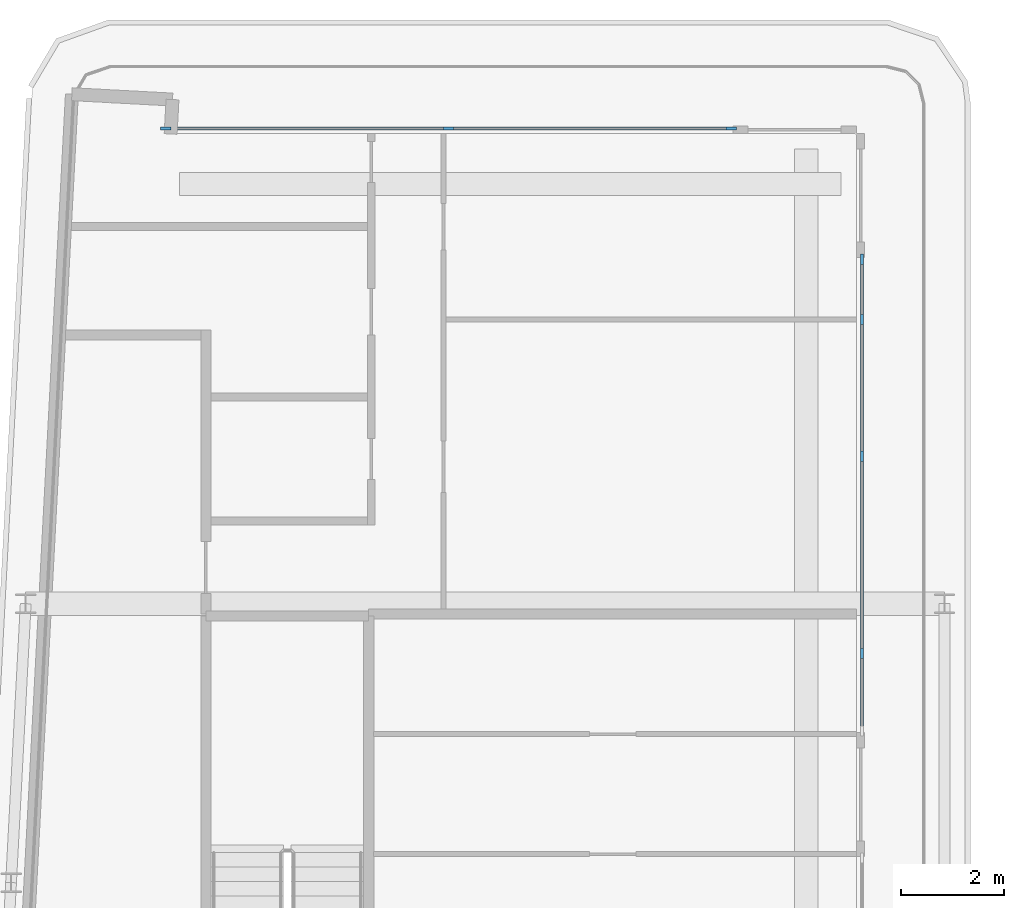
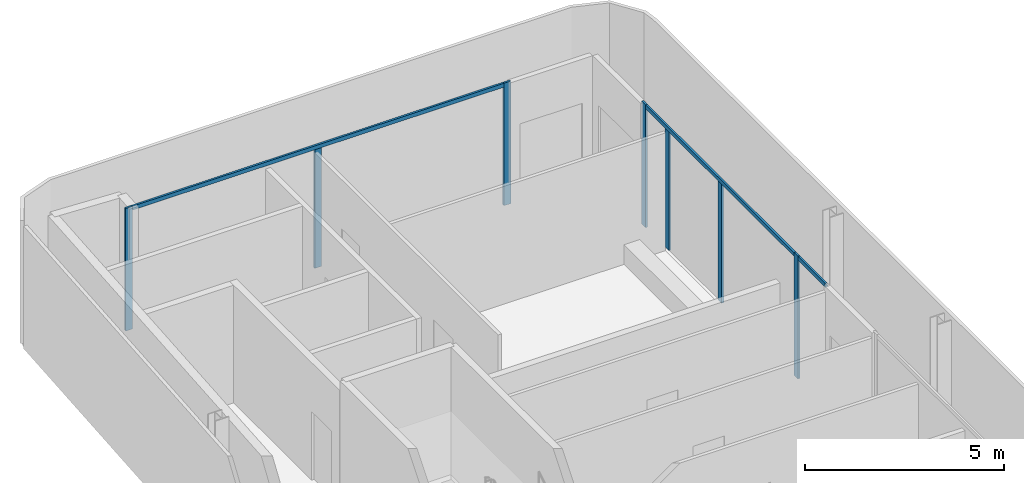
# One storey, part 8 of 21: 10 members, 3 elements without a shape of their own.
"""IFC4 building model written with IfcOpenShell, lengths in metres."""

from ifc_helpers import new_model, si_unit, direction, frame, origin, origin_2d, place, context, subcontext, project, spatial, rectangle, extrude, material, layer, layer_set, material_profile, profile_set, type_object, element, aggregate, save


model = new_model("IFC4")

# Units and contexts
model_context = context("Model", 3, precision=1e-05, world=origin(), true_north=direction((0.0, 1.0)))
body_context = subcontext(model_context, "Body", "Model", "MODEL_VIEW")
ifc_project = project(units=[si_unit("LENGTHUNIT", "METRE"), si_unit("AREAUNIT", "SQUARE_METRE"), si_unit("VOLUMEUNIT", "CUBIC_METRE"), si_unit("PLANEANGLEUNIT", "RADIAN"), si_unit("MASSUNIT", "GRAM", prefix="KILO")], contexts=[model_context])

# Site, building, storey
site_placement = place(None, origin())
site = spatial("IfcSite", under=ifc_project, at=site_placement, CompositionType="ELEMENT")
building_placement = place(site_placement, origin())
building = spatial("IfcBuilding", under=site, at=building_placement, Name="Kheshtan School and Residences Tower", CompositionType="ELEMENT")
storey_placement = place(building_placement, frame((0.0, 0.0, 309.800048828125)))
storey = spatial("IfcBuildingStorey", under=building, at=storey_placement, Name="L73", CompositionType="ELEMENT", Elevation=309.800048828125)

# Curtain wall, members
ifc_material_1 = material(Name="Clear low-e glass in thermally broken aluminium frame", Category="aluminium")
ifc_layer = layer(ifc_material_1, 0.199951171875)
ifc_layer_set = layer_set([ifc_layer], Name="Curtain wall CW-L")
curtain_wall_type = type_object("IfcCurtainWallType", Name="Curtain wall CW-L", PredefinedType="NOTDEFINED", material=ifc_layer_set)
curtain_wall_1_placement = place(storey_placement, origin())
curtain_wall_1 = element("IfcCurtainWall", 1, at=curtain_wall_1_placement, inside=storey, type_object=curtain_wall_type, Name="Curtain wall CWL7", PredefinedType="NOTDEFINED")
ifc_material_2 = material(Name="Thermally broken aluminium, dark bronze anodised", Category="aluminium")
ifc_material_profile_1 = material_profile(ifc_material_2, rectangle(XDim=0.06005859375, YDim=0.199951171875, at=origin_2d()), Name="CW-L mullion 60x200")
ifc_profile_set_1 = profile_set([ifc_material_profile_1], Name="Thermally broken aluminium, dark bronze anodised")
member_type_1 = type_object("IfcMemberType", Name="CW-L mullion 60x200", PredefinedType="MULLION", material=ifc_profile_set_1)
member_1_placement = place(storey_placement, frame((32.52197265625, 98.0, 0.0), z_axis=(0.0, 0.0, 1.0), x_axis=(0.0, 1.0, 0.0)))
member_1 = element("IfcMember", 2, at=member_1_placement, type_object=member_type_1, Name="CWL7 mullion 1", PredefinedType="MULLION", context=body_context, shape_type="SweptSolid", body=[
    extrude(rectangle(XDim=0.06005859375, YDim=0.199951171875, at=origin_2d()), origin(), (0.0, 0.0, 1.0), 3.75),
])
member_2_placement = place(storey_placement, frame((37.99609375, 98.0, 0.0), z_axis=(0.0, 0.0, 1.0), x_axis=(0.0, 1.0, 0.0)))
member_2 = element("IfcMember", 3, at=member_2_placement, type_object=member_type_1, Name="CWL7 mullion 2", PredefinedType="MULLION", context=body_context, shape_type="SweptSolid", body=[
    extrude(rectangle(XDim=0.06005859375, YDim=0.199951171875, at=origin_2d()), origin(), (0.0, 0.0, 1.0), 3.6298828125),
])
member_3_placement = place(storey_placement, frame((43.469970703125, 98.0, 0.0), z_axis=(0.0, 0.0, 1.0), x_axis=(0.0, 1.0, 0.0)))
member_3 = element("IfcMember", 4, at=member_3_placement, type_object=member_type_1, Name="CWL7 mullion 3", PredefinedType="MULLION", context=body_context, shape_type="SweptSolid", body=[
    extrude(rectangle(XDim=0.06005859375, YDim=0.199951171875, at=origin_2d()), origin(), (0.0, 0.0, 1.0), 3.75),
])

curtain_wall_2_placement = place(storey_placement, origin())
curtain_wall_2 = element("IfcCurtainWall", 5, at=curtain_wall_2_placement, inside=storey, type_object=curtain_wall_type, Name="Curtain wall CWL8c", PredefinedType="NOTDEFINED")
member_4_placement = place(storey_placement, frame((46.0, 95.469970703125, 0.0), z_axis=(0.0, 0.0, 1.0), x_axis=(1.0, 0.0, 0.0)))
member_4 = element("IfcMember", 6, at=member_4_placement, type_object=member_type_1, Name="CWL8c mullion 1", PredefinedType="MULLION", context=body_context, shape_type="SweptSolid", body=[
    extrude(rectangle(XDim=0.06005859375, YDim=0.199951171875, at=origin_2d()), origin(), (0.0, 0.0, 1.0), 3.75),
])
member_5_placement = place(storey_placement, frame((46.0, 94.300048828125, 0.0), z_axis=(0.0, 0.0, 1.0), x_axis=(1.0, 0.0, 0.0)))
member_5 = element("IfcMember", 7, at=member_5_placement, type_object=member_type_1, Name="CWL8c mullion 2", PredefinedType="MULLION", context=body_context, shape_type="SweptSolid", body=[
    extrude(rectangle(XDim=0.06005859375, YDim=0.199951171875, at=origin_2d()), origin(), (0.0, 0.0, 1.0), 3.6298828125),
])
member_6_placement = place(storey_placement, frame((46.0, 91.653076171875, 0.0), z_axis=(0.0, 0.0, 1.0), x_axis=(1.0, 0.0, 0.0)))
member_6 = element("IfcMember", 8, at=member_6_placement, type_object=member_type_1, Name="CWL8c mullion 3", PredefinedType="MULLION", context=body_context, shape_type="SweptSolid", body=[
    extrude(rectangle(XDim=0.06005859375, YDim=0.199951171875, at=origin_2d()), origin(), (0.0, 0.0, 1.0), 3.6298828125),
])
member_7_placement = place(storey_placement, frame((46.0, 87.8359375, 0.0), z_axis=(0.0, 0.0, 1.0), x_axis=(1.0, 0.0, 0.0)))
member_7 = element("IfcMember", 9, at=member_7_placement, type_object=member_type_1, Name="CWL8c mullion 4", PredefinedType="MULLION", context=body_context, shape_type="SweptSolid", body=[
    extrude(rectangle(XDim=0.06005859375, YDim=0.199951171875, at=origin_2d()), origin(), (0.0, 0.0, 1.0), 3.75),
])

# Member
ifc_material_profile_2 = material_profile(ifc_material_2, rectangle(XDim=0.06005859375, YDim=0.1201171875, at=origin_2d()), Name="CW-L transom 60x120")
ifc_profile_set_2 = profile_set([ifc_material_profile_2], Name="Thermally broken aluminium, dark bronze anodised")
member_type_2 = type_object("IfcMemberType", Name="CW-L transom 60x120", PredefinedType="USERDEFINED", material=ifc_profile_set_2)
member_8_placement = place(storey_placement, frame((32.552001953125, 98.0, 3.68994140625), z_axis=(1.0, 0.0, 0.0), x_axis=(0.0, 1.0, 0.0)))
member_8 = element("IfcMember", 10, at=member_8_placement, type_object=member_type_2, Name="CWL7 transom 1", ObjectType="TRANSOM", PredefinedType="USERDEFINED", context=body_context, shape_type="SweptSolid", body=[
    extrude(rectangle(XDim=0.06005859375, YDim=0.1201171875, at=origin_2d()), origin(), (0.0, 0.0, 1.0), 10.887939453125),
])

aggregate(curtain_wall_1, [member_1, member_2, member_3, member_8])

member_9_placement = place(storey_placement, frame((46.0, 95.43994140625, 3.68994140625), z_axis=(0.0, -1.0, 0.0), x_axis=(1.0, 0.0, 0.0)))
member_9 = element("IfcMember", 11, at=member_9_placement, type_object=member_type_2, Name="CWL8c transom 1", ObjectType="TRANSOM", PredefinedType="USERDEFINED", context=body_context, shape_type="SweptSolid", body=[
    extrude(rectangle(XDim=0.06005859375, YDim=0.1201171875, at=origin_2d()), origin(), (0.0, 0.0, 1.0), 7.573974609375),
])

aggregate(curtain_wall_2, [member_4, member_5, member_6, member_7, member_9])

# Curtain wall, member
curtain_wall_3_placement = place(storey_placement, origin())
curtain_wall_3 = element("IfcCurtainWall", 12, at=curtain_wall_3_placement, inside=storey, type_object=curtain_wall_type, Name="Curtain wall CWL8a", PredefinedType="NOTDEFINED")
member_10_placement = place(storey_placement, frame((46.0, 87.805908203125, 3.68994140625), z_axis=(0.0, -1.0, 0.0), x_axis=(1.0, 0.0, 0.0)))
member_10 = element("IfcMember", 13, at=member_10_placement, type_object=member_type_2, Name="CWL8a transom 1", ObjectType="TRANSOM", PredefinedType="USERDEFINED", context=body_context, shape_type="SweptSolid", body=[
    extrude(rectangle(XDim=0.06005859375, YDim=0.1201171875, at=origin_2d()), origin(), (0.0, 0.0, 1.0), 1.43994140625),
])
aggregate(curtain_wall_3, [member_10])

save(model, "model.ifc")
